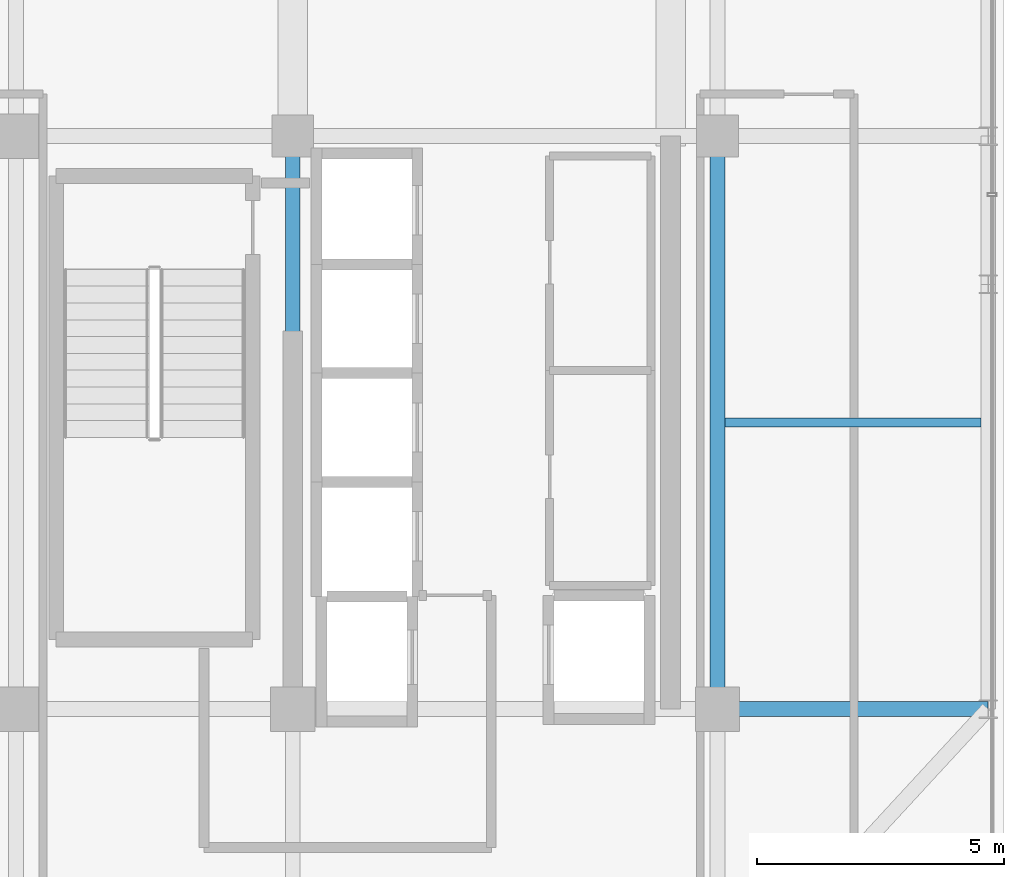
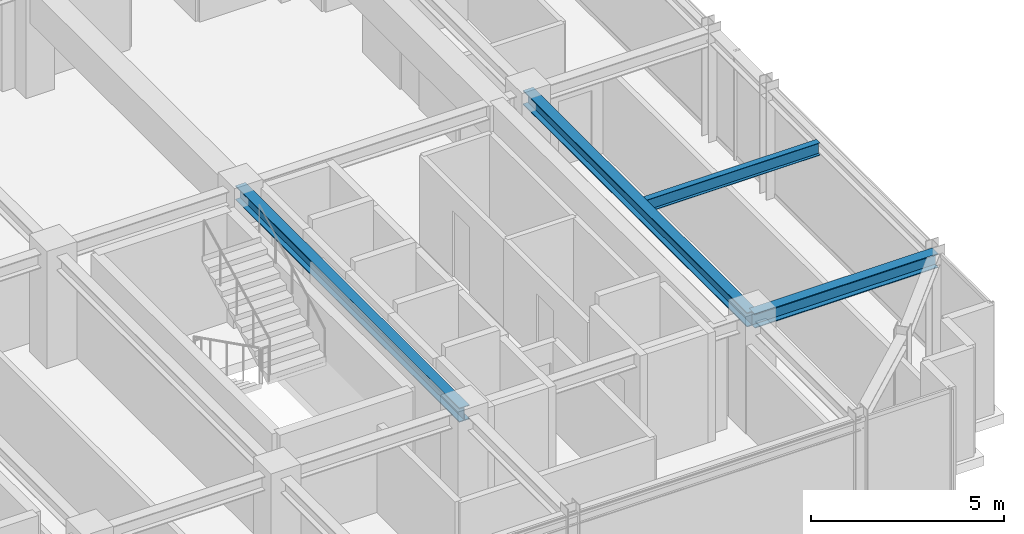
# One storey, part 13 of 31: 4 beams.
"""IFC4 building model written with IfcOpenShell, lengths in metres."""

import ifcopenshell
import ifcopenshell.guid

model = None  # the IFC model being written
_history = None  # IfcOwnerHistory: only IFC2X3 demands one
_inside = {}  # id of a spatial element -> (the spatial element, [elements in it])
_under = {}  # id of a project, library or spatial element -> (it, [spatial elements below it])
_declared = {}  # id of a project -> (the project, [libraries it declares])
_typed = {}  # id of a type object -> (the type object, [elements of that type])
_made_of = {}  # id of a material, layer set ... -> (it, [elements and type objects made of it])


def new_model(schema):
    """Start an empty IFC model of exactly this schema.

    Asked for "IFC4X3", IfcOpenShell would pick the latest addendum, in which some entities
    have other attributes; the version numbers below select the first issue.
    IFC2X3 requires an IfcOwnerHistory on every rooted entity: one is made here for all.
    """
    global model, _history
    if schema == "IFC4X3":
        model = ifcopenshell.file(schema_version=(4, 3, 0, 0))
    else:
        model = ifcopenshell.file(schema=schema)
    _inside.clear()
    _under.clear()
    _declared.clear()
    _typed.clear()
    _made_of.clear()
    _history = None
    if model.schema == "IFC2X3":
        org = make("IfcOrganization", Name="unknown")
        user = make(
            "IfcPersonAndOrganization",
            ThePerson=make("IfcPerson", FamilyName="unknown"),
            TheOrganization=org,
        )
        app = make(
            "IfcApplication",
            ApplicationDeveloper=org,
            Version="unknown",
            ApplicationFullName="unknown",
            ApplicationIdentifier="unknown",
        )
        _history = make(
            "IfcOwnerHistory",
            OwningUser=user,
            OwningApplication=app,
            ChangeAction="ADDED",
            CreationDate=0,
        )
    return model


def make(cls, **values):
    """One entity of the class cls with the attributes given. An attribute that is None is left unset."""
    return model.create_entity(
        cls, **{name: value for name, value in values.items() if value is not None}
    )


def rooted(cls, **values):
    """An entity with a GlobalId (a new one), such as an element, a storey or a relation."""
    return make(cls, GlobalId=ifcopenshell.guid.new(), OwnerHistory=_history, **values)


def si_unit(unit_type, name, prefix=None):
    """IfcSIUnit, for example si_unit("LENGTHUNIT", "METRE", prefix="MILLI")."""
    return make("IfcSIUnit", UnitType=unit_type, Prefix=prefix, Name=name)


def assignment(units):
    """IfcUnitAssignment: the units of a project."""
    return None if units is None else make("IfcUnitAssignment", Units=units)


def point(xyz):
    """IfcCartesianPoint."""
    return None if xyz is None else make("IfcCartesianPoint", Coordinates=xyz)


def direction(xyz):
    """IfcDirection."""
    return None if xyz is None else make("IfcDirection", DirectionRatios=xyz)


def frame(location, z_axis=None, x_axis=None):
    """IfcAxis2Placement3D, a coordinate frame: its origin and axes. An axis left out is left unset."""
    return make(
        "IfcAxis2Placement3D",
        Location=point(location),
        Axis=direction(z_axis),
        RefDirection=direction(x_axis),
    )


def frame_2d(location, x_axis=None):
    """IfcAxis2Placement2D, a coordinate frame in the plane: its origin and x axis."""
    return make(
        "IfcAxis2Placement2D", Location=point(location), RefDirection=direction(x_axis)
    )


def origin():
    """The frame at (0, 0, 0) with its axes left unset."""
    return frame((0.0, 0.0, 0.0))


def origin_2d():
    """The frame at (0, 0) in the plane with its x axis left unset."""
    return frame_2d((0.0, 0.0))


def place(relative_to, where):
    """IfcLocalPlacement: puts the frame where relative to a parent placement (None: the world)."""
    return make(
        "IfcLocalPlacement", PlacementRelTo=relative_to, RelativePlacement=where
    )


def context(
    kind, dimensions, precision=None, world=None, true_north=None, identifier=None
):
    """IfcGeometricRepresentationContext, for example the 3D "Model" context."""
    return make(
        "IfcGeometricRepresentationContext",
        ContextIdentifier=identifier,
        ContextType=kind,
        CoordinateSpaceDimension=dimensions,
        Precision=precision,
        WorldCoordinateSystem=world,
        TrueNorth=true_north,
    )


def subcontext(parent, identifier, kind, view, scale=None):
    """IfcGeometricRepresentationSubContext, for example "Body" below "Model"."""
    return make(
        "IfcGeometricRepresentationSubContext",
        ContextIdentifier=identifier,
        ContextType=kind,
        ParentContext=parent,
        TargetScale=scale,
        TargetView=view,
    )


def project(units=None, contexts=None):
    """IfcProject with its units and contexts."""
    return rooted(
        "IfcProject",
        Name="project",
        RepresentationContexts=contexts,
        UnitsInContext=assignment(units),
    )


def spatial(cls, under=None, at=None, **own):
    """A site, building, storey or space (cls), placed at a placement, below another one or the project."""
    s = rooted(cls, ObjectPlacement=at, **own)
    if under is not None:
        _under.setdefault(under.id(), (under, []))[1].append(s)
    return s


def profile(cls, at=None, kind="AREA", **sizes):
    """A parametric profile (cls). Its sizes go by their IFC names, for example OverallWidth=200.0."""
    return make(cls, ProfileType=kind, Position=at, **sizes)


def i_section(**sizes):
    """IfcIShapeProfileDef."""
    return profile("IfcIShapeProfileDef", **sizes)


def extrude(swept, where, along, depth):
    """IfcExtrudedAreaSolid: the profile swept, set in the frame where, extruded along a direction by depth."""
    return make(
        "IfcExtrudedAreaSolid",
        SweptArea=swept,
        Position=where,
        ExtrudedDirection=direction(along),
        Depth=depth,
    )


def shape(context_of_items, identifier, shape_type, items):
    """IfcShapeRepresentation: the items that make up one representation, for example the "Body"."""
    return make(
        "IfcShapeRepresentation",
        ContextOfItems=context_of_items,
        RepresentationIdentifier=identifier,
        RepresentationType=shape_type,
        Items=items,
    )


def source(mapping_origin, context_of_items, identifier, shape_type, items):
    """IfcRepresentationMap: a shape defined once, which mapped items show again and again."""
    return make(
        "IfcRepresentationMap",
        MappingOrigin=mapping_origin,
        MappedRepresentation=shape(context_of_items, identifier, shape_type, items),
    )


def transform(
    local_origin,
    x_axis=None,
    y_axis=None,
    z_axis=None,
    scale=None,
    scale2=None,
    scale3=None,
    uniform=True,
):
    """IfcCartesianTransformationOperator3D, or its non-uniform kind. x_axis, y_axis, z_axis: its Axis1, 2, 3."""
    if uniform:
        return make(
            "IfcCartesianTransformationOperator3D",
            Axis1=direction(x_axis),
            Axis2=direction(y_axis),
            LocalOrigin=point(local_origin),
            Scale=scale,
            Axis3=direction(z_axis),
        )
    return make(
        "IfcCartesianTransformationOperator3DnonUniform",
        Axis1=direction(x_axis),
        Axis2=direction(y_axis),
        LocalOrigin=point(local_origin),
        Scale=scale,
        Axis3=direction(z_axis),
        Scale2=scale2,
        Scale3=scale3,
    )


def mapped(mapping_source, mapping_target):
    """IfcMappedItem: shows the shape of a source again, moved by a transform."""
    return make(
        "IfcMappedItem", MappingSource=mapping_source, MappingTarget=mapping_target
    )


def material(Name=None, Category=None):
    """IfcMaterial."""
    return make("IfcMaterial", Name=Name, Category=Category)


def material_profile(
    of_material, cross_section, Name=None, Category=None, Priority=None
):
    """IfcMaterialProfile: a cross section and its material."""
    return make(
        "IfcMaterialProfile",
        Name=Name,
        Material=of_material,
        Profile=cross_section,
        Priority=Priority,
        Category=Category,
    )


def profile_set(profiles, Name=None, composite=None):
    """IfcMaterialProfileSet."""
    return make(
        "IfcMaterialProfileSet",
        Name=Name,
        MaterialProfiles=profiles,
        CompositeProfile=composite,
    )


def made_of(thing, what):
    """Note that an element or type object is made of a material, layer set ...; save() writes the relation."""
    if what is not None:
        _made_of.setdefault(what.id(), (what, []))[1].append(thing)
    return thing


def type_object(cls, material=None, **own):
    """A type object (cls), such as IfcWallType, which elements share."""
    return made_of(rooted(cls, **own), material)


def element(
    cls,
    number,
    at=None,
    inside=None,
    cuts=None,
    type_object=None,
    material=None,
    context=None,
    identifier="Body",
    shape_type=None,
    held_by="IfcProductDefinitionShape",
    body=None,
    shapes=None,
    **own,
):
    """One element of the class cls, such as IfcWall. Its Tag is "e" and its number.

    at: its placement. inside: the storey or other place that contains it. cuts: it is an
    opening in that element (IfcRelVoidsElement). A single representation is given by context,
    identifier, shape_type and body (its items); several are given by shapes. held_by: the class
    of the entity that holds the representations. save() writes the other relations.
    """
    e = rooted(cls, Tag="e%d" % number, ObjectPlacement=at, **own)
    if body is not None:
        shapes = [shape(context, identifier, shape_type, body)]
    if shapes is not None:
        e.Representation = make(held_by, Representations=shapes)
    if inside is not None:
        _inside.setdefault(inside.id(), (inside, []))[1].append(e)
    if cuts is not None:
        rooted(
            "IfcRelVoidsElement", RelatingBuildingElement=cuts, RelatedOpeningElement=e
        )
    if type_object is not None:
        _typed.setdefault(type_object.id(), (type_object, []))[1].append(e)
    return made_of(e, material)


def aggregate(whole, parts):
    """IfcRelAggregates: a whole, such as a stair, and the parts it consists of."""
    return rooted("IfcRelAggregates", RelatingObject=whole, RelatedObjects=parts)


def save(model, path):
    """Write the relations noted so far, then the file.

    IfcRelAggregates (storeys below a building ...), IfcRelContainedInSpatialStructure (elements
    in a storey), IfcRelDefinesByType, IfcRelAssociatesMaterial and IfcRelDeclares: one each for
    every whole, place, type object, material and project.
    """
    for whole, parts in _under.values():
        aggregate(whole, parts)
    for where, things in _inside.values():
        rooted(
            "IfcRelContainedInSpatialStructure",
            RelatedElements=things,
            RelatingStructure=where,
        )
    for kind, things in _typed.values():
        rooted("IfcRelDefinesByType", RelatedObjects=things, RelatingType=kind)
    for what, things in _made_of.values():
        rooted("IfcRelAssociatesMaterial", RelatedObjects=things, RelatingMaterial=what)
    for by, libraries in _declared.values():
        rooted("IfcRelDeclares", RelatingContext=by, RelatedDefinitions=libraries)
    model.write(path)


model = new_model("IFC4")

# Units and contexts
model_context = context("Model", 3, precision=1e-05, world=origin(), true_north=direction((0.0, 1.0)))
body_context = subcontext(model_context, "Body", "Model", "MODEL_VIEW")
ifc_project = project(units=[si_unit("LENGTHUNIT", "METRE"), si_unit("AREAUNIT", "SQUARE_METRE"), si_unit("VOLUMEUNIT", "CUBIC_METRE"), si_unit("PLANEANGLEUNIT", "RADIAN"), si_unit("MASSUNIT", "GRAM", prefix="KILO")], contexts=[model_context])

# Site, building, storey
site_placement = place(None, origin())
site = spatial("IfcSite", under=ifc_project, at=site_placement, CompositionType="ELEMENT")
building_placement = place(site_placement, origin())
building = spatial("IfcBuilding", under=site, at=building_placement, Name="Nahalor Promenade Grand Hotel", CompositionType="ELEMENT")
storey_placement = place(building_placement, frame((0.0, 0.0, 277.550048828125)))
storey = spatial("IfcBuildingStorey", under=building, at=storey_placement, Name="L71", CompositionType="ELEMENT", Elevation=277.550048828125)

# Beams
ifc_material = material(Name="Steel S355JR", Category="steel")
ifc_material_profile_1 = material_profile(ifc_material, i_section(OverallWidth=0.3, OverallDepth=0.45, WebThickness=0.014, FlangeThickness=0.026, at=origin_2d()), Name="HEB 450")
ifc_profile_set_1 = profile_set([ifc_material_profile_1], Name="Steel S355JR")
beam_type_1 = type_object("IfcBeamType", Name="Beam-Girder-HEB450", PredefinedType="BEAM", material=ifc_profile_set_1)
shared_shape_1 = source(origin(), body_context, "Body", "SweptSolid", [
    extrude(i_section(OverallWidth=0.3, OverallDepth=0.45, WebThickness=0.014, FlangeThickness=0.026, at=origin_2d()), origin(), (0.0, 0.0, 1.0), 11.60009765625),
])
for number, where, z_axis, x_axis, name in (
    (1, (8.39990234375, -17.0, 3.224853515625), (0.0, 1.0, 0.0), (-1.0, 0.0, 0.0), "BM-L71-GY-4-1"),
    (2, (17.0, -17.0, 3.224853515625), (0.0, 1.0, 0.0), (-1.0, 0.0, 0.0), "BM-L71-GY-5-1"),
):
    element("IfcBeam", number, at=place(storey_placement, frame(where, z_axis=z_axis, x_axis=x_axis)), inside=storey, type_object=beam_type_1, Name=name, PredefinedType="BEAM", context=body_context, shape_type="MappedRepresentation", body=[
        mapped(shared_shape_1, transform((0.0, 0.0, 0.0), scale=1.0)),
    ])
shared_shape_2 = source(origin(), body_context, "Body", "SweptSolid", [
    extrude(i_section(OverallWidth=0.3, OverallDepth=0.45, WebThickness=0.014, FlangeThickness=0.026, at=origin_2d()), origin(), (0.0, 0.0, 1.0), 5.47998046875),
])
beam_1_placement = place(storey_placement, frame((17.0, -17.0, 3.224853515625), z_axis=(1.0, 0.0, 0.0), x_axis=(0.0, 1.0, 0.0)))
element("IfcBeam", 3, at=beam_1_placement, inside=storey, type_object=beam_type_1, Name="BM-L71-GX-0-6", PredefinedType="BEAM", context=body_context, shape_type="MappedRepresentation", body=[
    mapped(shared_shape_2, transform((0.0, 0.0, 0.0), scale=1.0)),
])
ifc_material_profile_2 = material_profile(ifc_material, i_section(OverallWidth=0.18, OverallDepth=0.4, WebThickness=0.0086, FlangeThickness=0.0135, at=origin_2d()), Name="IPE 400")
ifc_profile_set_2 = profile_set([ifc_material_profile_2], Name="Steel S355JR")
beam_type_2 = type_object("IfcBeamType", Name="Beam-Joist-IPE400", PredefinedType="JOIST", material=ifc_profile_set_2)
shared_shape_3 = source(origin(), body_context, "Body", "SweptSolid", [
    extrude(i_section(OverallWidth=0.18, OverallDepth=0.4, WebThickness=0.0086, FlangeThickness=0.0135, at=origin_2d()), origin(), (0.0, 0.0, 1.0), 5.18017578125),
])
beam_2_placement = place(storey_placement, frame((17.14990234375, -11.199951171875, 3.25), z_axis=(1.0, 0.0, 0.0), x_axis=(0.0, 1.0, 0.0)))
element("IfcBeam", 4, at=beam_2_placement, inside=storey, type_object=beam_type_2, Name="BM-L71-JSE-0-2", PredefinedType="JOIST", context=body_context, shape_type="MappedRepresentation", body=[
    mapped(shared_shape_3, transform((0.0, 0.0, 0.0), scale=1.0)),
])

save(model, "model.ifc")
